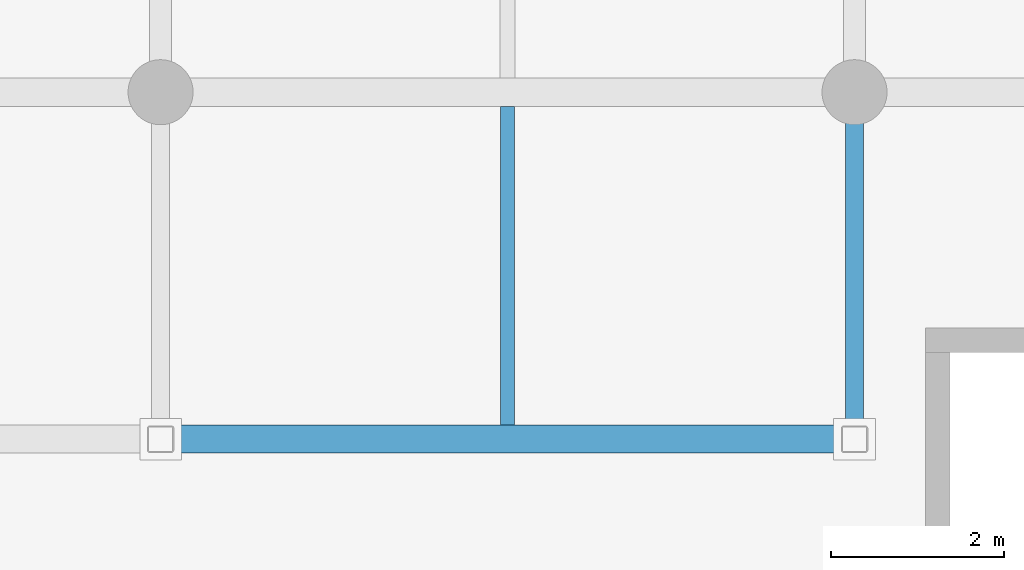
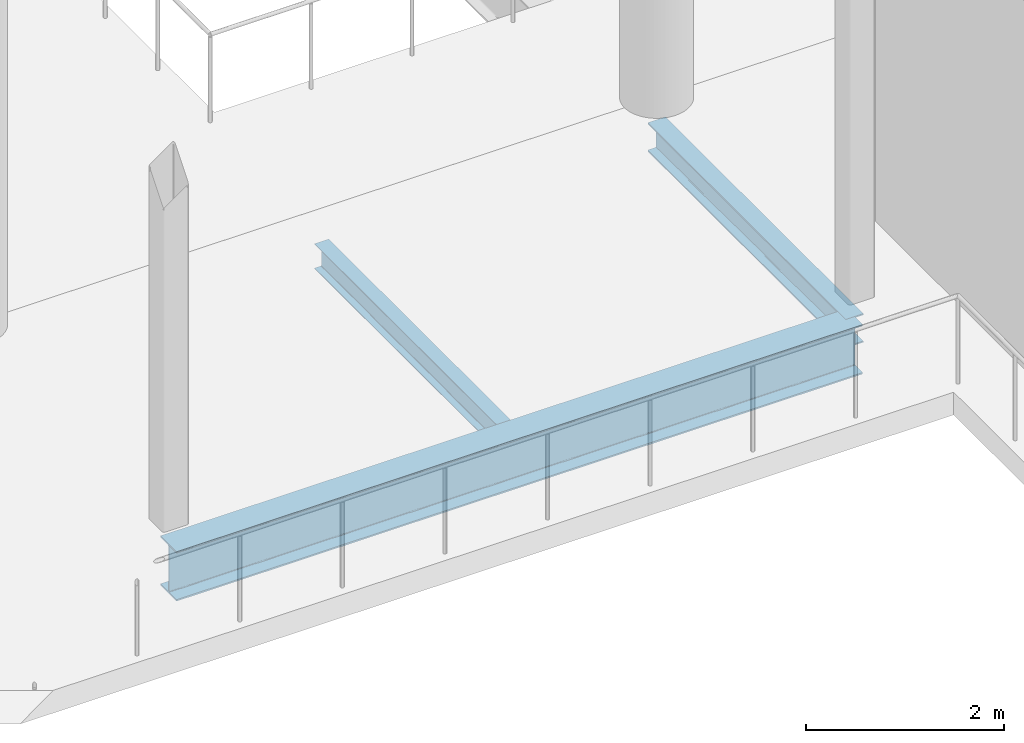
# One storey, part 44 of 114: 3 beams.
"""IFC4 building model written with IfcOpenShell, lengths in metres."""

from ifc_helpers import new_model, si_unit, direction, frame, origin, origin_2d, place, context, subcontext, project, spatial, i_section, extrude, material, material_profile, profile_set, type_object, element, save


model = new_model("IFC4")

# Units and contexts
model_context = context("Model", 3, precision=1e-05, world=origin(), true_north=direction((0.0, 1.0)))
body_context = subcontext(model_context, "Body", "Model", "MODEL_VIEW")
ifc_project = project(units=[si_unit("LENGTHUNIT", "METRE"), si_unit("AREAUNIT", "SQUARE_METRE"), si_unit("VOLUMEUNIT", "CUBIC_METRE"), si_unit("PLANEANGLEUNIT", "RADIAN"), si_unit("MASSUNIT", "GRAM", prefix="KILO")], contexts=[model_context])

# Site, building, storey
site_placement = place(None, origin())
site = spatial("IfcSite", under=ifc_project, at=site_placement, CompositionType="ELEMENT")
building_placement = place(site_placement, origin())
building = spatial("IfcBuilding", under=site, at=building_placement, Name="Verrall Gate Interchange", CompositionType="ELEMENT")
storey_placement = place(building_placement, frame((0.0, 0.0, 6.60009765625)))
storey = spatial("IfcBuildingStorey", under=building, at=storey_placement, Name="L02", CompositionType="ELEMENT", Elevation=6.60009765625)

# Beams
ifc_material_1 = material(Name="Structural Steel CSA G40.21 350WT Cat 4", Category="steel")
ifc_material_profile_1 = material_profile(ifc_material_1, i_section(OverallWidth=0.323974609375, OverallDepth=0.611083984375, WebThickness=0.0126953125, FlangeThickness=0.01904296875, FilletRadius=0.014892578125, at=origin_2d()), Name="W610x155")
ifc_profile_set_1 = profile_set([ifc_material_profile_1], Name="Structural Steel CSA G40.21 350WT Cat 4")
beam_type_1 = type_object("IfcBeamType", Name="B-08 Structural Beam W610x155", PredefinedType="BEAM", material=ifc_profile_set_1)
beam_1_placement = place(storey_placement, frame((92.0, 44.0, -0.585693359375), z_axis=(1.0, 0.0, 0.0), x_axis=(0.0, 1.0, 0.0)))
element("IfcBeam", 1, at=beam_1_placement, inside=storey, type_object=beam_type_1, Name="L02 Girder BM-L02-1556 (B-08)", PredefinedType="BEAM", context=body_context, shape_type="SweptSolid", body=[
    extrude(i_section(OverallWidth=0.323974609375, OverallDepth=0.611083984375, WebThickness=0.0126953125, FlangeThickness=0.01904296875, FilletRadius=0.014892578125, at=origin_2d()), origin(), (0.0, 0.0, 1.0), 8.0),
])
ifc_material_2 = material(Name="Structural Steel CSA G40.21 350W", Category="steel")
ifc_material_profile_2 = material_profile(ifc_material_2, i_section(OverallWidth=0.205078125, OverallDepth=0.35400390625, WebThickness=0.009521484375, FlangeThickness=0.016845703125, FilletRadius=0.012939453125, at=origin_2d()), Name="W360x79")
ifc_profile_set_2 = profile_set([ifc_material_profile_2], Name="Structural Steel CSA G40.21 350W")
beam_type_2 = type_object("IfcBeamType", Name="B-14 Structural Beam W360x79", PredefinedType="BEAM", material=ifc_profile_set_2)
beam_2_placement = place(storey_placement, frame((100.0, 44.0, -0.45703125), z_axis=(0.0, 1.0, 0.0), x_axis=(-1.0, 0.0, 0.0)))
element("IfcBeam", 2, at=beam_2_placement, inside=storey, type_object=beam_type_2, Name="L02 Girder BM-L02-1769 (B-14)", PredefinedType="BEAM", context=body_context, shape_type="SweptSolid", body=[
    extrude(i_section(OverallWidth=0.205078125, OverallDepth=0.35400390625, WebThickness=0.009521484375, FlangeThickness=0.016845703125, FilletRadius=0.012939453125, at=origin_2d()), origin(), (0.0, 0.0, 1.0), 4.0),
])
ifc_material_3 = material(Name="Structural Steel CSA G40.21 350W", Category="steel")
ifc_material_profile_3 = material_profile(ifc_material_3, i_section(OverallWidth=0.1650390625, OverallDepth=0.31005859375, WebThickness=0.005859375, FlangeThickness=0.009765625, FilletRadius=0.010009765625, at=origin_2d()), Name="W310x39")
ifc_profile_set_3 = profile_set([ifc_material_profile_3], Name="Structural Steel CSA G40.21 350W")
beam_type_3 = type_object("IfcBeamType", Name="J-04 Floor Joist W310x39", PredefinedType="JOIST", material=ifc_profile_set_3)
beam_3_placement = place(storey_placement, frame((96.0, 44.162109375, -0.43505859375), z_axis=(0.0, 1.0, 0.0), x_axis=(-1.0, 0.0, 0.0)))
element("IfcBeam", 3, at=beam_3_placement, inside=storey, type_object=beam_type_3, Name="L02 Secondary Floor Joist JST-L02-1933", PredefinedType="JOIST", context=body_context, shape_type="SweptSolid", body=[
    extrude(i_section(OverallWidth=0.1650390625, OverallDepth=0.31005859375, WebThickness=0.005859375, FlangeThickness=0.009765625, FilletRadius=0.010009765625, at=origin_2d()), origin(), (0.0, 0.0, 1.0), 3.67578125),
])

save(model, "model.ifc")
